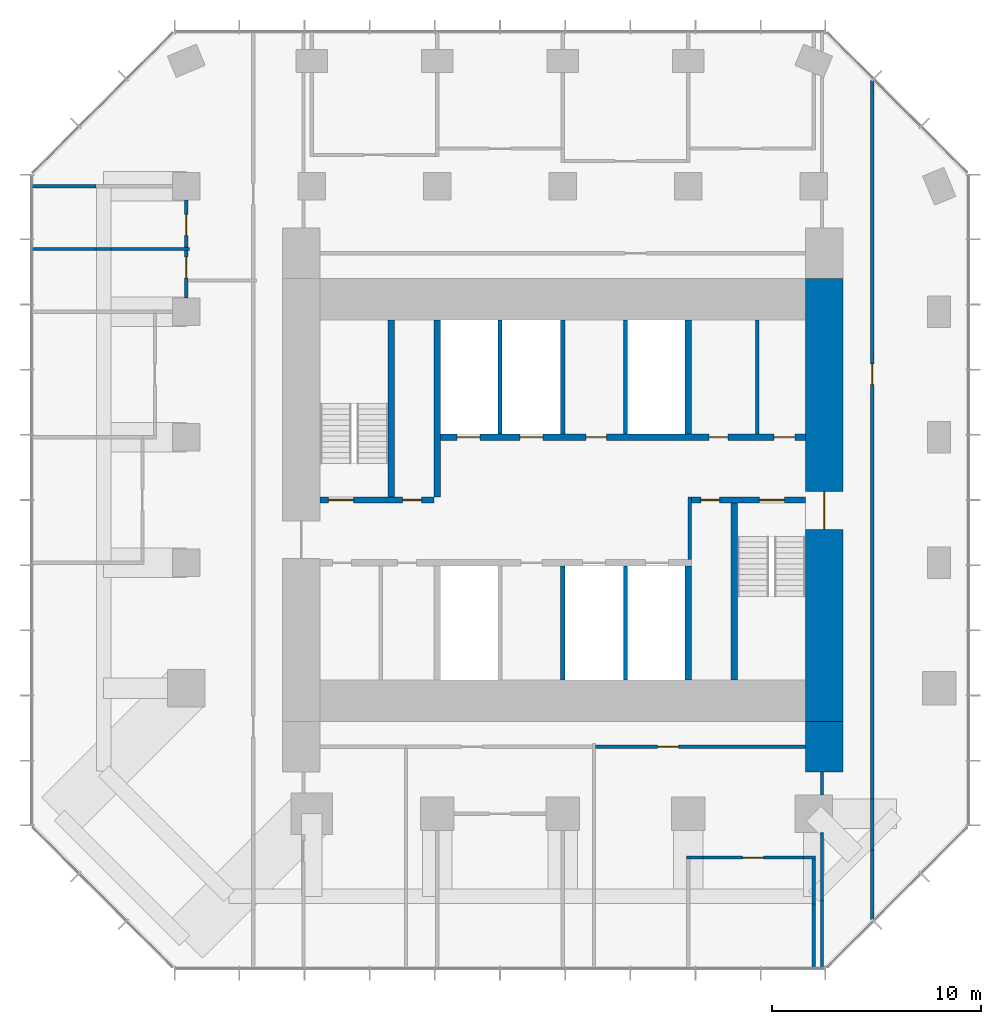
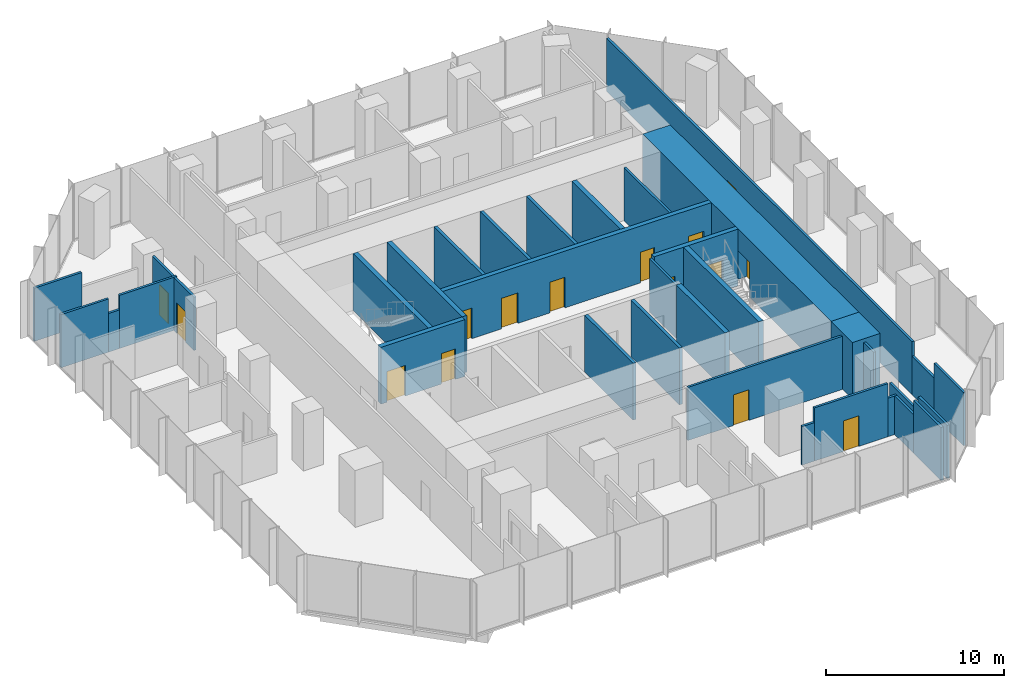
# One storey, part 9 of 11: 35 walls, 15 doors, 15 openings.
"""IFC4 building model written with IfcOpenShell, lengths in metres."""

from ifc_helpers import new_model, si_unit, direction, frame, frame_2d, origin, place, context, subcontext, project, spatial, rectangle, extrude, material, layer, layer_set, type_object, element, fill, save


model = new_model("IFC4")

# Units and contexts
model_context = context("Model", 3, precision=1e-05, world=origin(), true_north=direction((0.0, 1.0)))
body_context = subcontext(model_context, "Body", "Model", "MODEL_VIEW")
ifc_project = project(units=[si_unit("LENGTHUNIT", "METRE"), si_unit("AREAUNIT", "SQUARE_METRE"), si_unit("VOLUMEUNIT", "CUBIC_METRE"), si_unit("PLANEANGLEUNIT", "RADIAN"), si_unit("MASSUNIT", "GRAM", prefix="KILO")], contexts=[model_context])

# Site, building, storey
site_placement = place(None, origin())
site = spatial("IfcSite", under=ifc_project, at=site_placement, CompositionType="ELEMENT")
building_placement = place(site_placement, origin())
building = spatial("IfcBuilding", under=site, at=building_placement, Name="Highveld Stack Headquarters", CompositionType="ELEMENT")
storey_placement = place(building_placement, frame((0.0, 0.0, 216.199951171875)))
storey = spatial("IfcBuildingStorey", under=building, at=storey_placement, Name="L53", CompositionType="ELEMENT", Elevation=216.199951171875)

# Wall, opening, door
ifc_material_1 = material(Name="Concrete C60/75", Category="concrete")
ifc_layer_1 = layer(ifc_material_1, 1.800048828125)
ifc_layer_set_1 = layer_set([ifc_layer_1], Name="Concrete C60/75")
wall_type_1 = type_object("IfcWallType", Name="CORE WALL 1800 C60/75", PredefinedType="SHEAR", material=ifc_layer_set_1)
wall_1_placement = place(storey_placement, frame((18.5, -7.60009765625, 0.0), z_axis=(0.0, 0.0, 1.0), x_axis=(0.0, 1.0, 0.0)))
wall_1 = element("IfcWall", 1, at=wall_1_placement, inside=storey, type_object=wall_type_1, Name="Core wall E L53", PredefinedType="SHEAR", context=body_context, shape_type="SweptSolid", body=[
    extrude(rectangle(XDim=21.2001953125, YDim=1.800048828125, at=frame_2d((10.60009765625, 0.0))), origin(), (0.0, 0.0, 1.0), 3.900146484375),
])
opening_1_placement = place(wall_1_placement, frame((9.199951171875, 0.0, 0.0)))
opening_1 = element("IfcOpeningElement", 2, at=opening_1_placement, cuts=wall_1, Name="Opening L53-02", PredefinedType="OPENING", context=body_context, shape_type="SweptSolid", body=[
    extrude(rectangle(XDim=1.800048828125, YDim=2.39990234375, at=frame_2d((0.89990234375, 1.199951171875))), frame((0.0, 0.909912109375, 0.0), z_axis=(0.0, -1.0, 0.0), x_axis=(1.0, 0.0, 0.0)), (0.0, 0.0, 1.0), 1.820068359375),
])
ifc_material_2 = material(Name="Steel fire door", Category="steel")
door_type_1 = type_object("IfcDoorType", Name="LOBBY FIRE DOOR D4 1800x2400", OperationType="DOUBLE_DOOR_SINGLE_SWING", PredefinedType="DOOR", material=ifc_material_2)
door_1_placement = place(opening_1_placement, origin())
door_1 = element("IfcDoor", 3, at=door_1_placement, inside=storey, type_object=door_type_1, Name="Core east door L53", OperationType="DOUBLE_DOOR_SINGLE_SWING", OverallHeight=2.39990234375, OverallWidth=1.800048828125, PredefinedType="DOOR", context=body_context, shape_type="SweptSolid", body=[
    extrude(rectangle(XDim=1.800048828125, YDim=2.39990234375, at=frame_2d((0.89990234375, 1.199951171875))), frame((0.0, 0.02490234375, 0.0), z_axis=(0.0, -1.0, 0.0), x_axis=(1.0, 0.0, 0.0)), (0.0, 0.0, 1.0), 0.050048828125),
])
fill(opening_1, door_1)

# Wall, openings, doors
ifc_material_3 = material(Name="Concrete C60/75", Category="concrete")
ifc_layer_2 = layer(ifc_material_3, 0.300048828125)
ifc_layer_set_2 = layer_set([ifc_layer_2], Name="Concrete C60/75")
wall_type_2 = type_object("IfcWallType", Name="CORE WALL 300 C60/75", PredefinedType="SHEAR", material=ifc_layer_set_2)
wall_2_placement = place(storey_placement, frame((-5.60009765625, 3.0, 0.0), z_axis=(0.0, 0.0, 1.0), x_axis=(1.0, 0.0, 0.0)))
wall_2 = element("IfcWall", 4, at=wall_2_placement, inside=storey, type_object=wall_type_2, Name="Core wall I-Y3W L53", PredefinedType="SHEAR", context=body_context, shape_type="SweptSolid", body=[
    extrude(rectangle(XDim=5.4501953125, YDim=0.300048828125, at=frame_2d((2.72509765625, 0.0))), origin(), (0.0, 0.0, 1.0), 3.900146484375),
])
opening_2_placement = place(wall_2_placement, frame((0.39990234375, 0.0, 0.0)))
opening_2 = element("IfcOpeningElement", 5, at=opening_2_placement, cuts=wall_2, Name="Opening L53-03", PredefinedType="OPENING", context=body_context, shape_type="SweptSolid", body=[
    extrude(rectangle(XDim=1.199951171875, YDim=2.10009765625, at=frame_2d((0.60009765625, 1.050048828125))), frame((0.0, 0.159912109375, 0.0), z_axis=(0.0, -1.0, 0.0), x_axis=(1.0, 0.0, 0.0)), (0.0, 0.0, 1.0), 0.320068359375),
])
opening_3_placement = place(wall_2_placement, frame((3.949951171875, 0.0, 0.0)))
opening_3 = element("IfcOpeningElement", 6, at=opening_3_placement, cuts=wall_2, Name="Opening L53-04", PredefinedType="OPENING", context=body_context, shape_type="SweptSolid", body=[
    extrude(rectangle(XDim=0.89990234375, YDim=2.10009765625, at=frame_2d((0.449951171875, 1.050048828125))), frame((0.0, 0.159912109375, 0.0), z_axis=(0.0, -1.0, 0.0), x_axis=(1.0, 0.0, 0.0)), (0.0, 0.0, 1.0), 0.320068359375),
])
ifc_material_4 = material(Name="Steel fire door", Category="steel")
door_type_2 = type_object("IfcDoorType", Name="RISER ACCESS DOOR D5 900x2100", OperationType="SINGLE_SWING_LEFT", PredefinedType="DOOR", material=ifc_material_4)
door_2_placement = place(opening_3_placement, origin())
door_2 = element("IfcDoor", 7, at=door_2_placement, inside=storey, type_object=door_type_2, Name="Riser R1 door L53", OperationType="SINGLE_SWING_RIGHT", OverallHeight=2.10009765625, OverallWidth=0.89990234375, PredefinedType="DOOR", context=body_context, shape_type="SweptSolid", body=[
    extrude(rectangle(XDim=0.89990234375, YDim=2.10009765625, at=frame_2d((0.449951171875, 1.050048828125))), frame((0.0, 0.02490234375, 0.0), z_axis=(0.0, -1.0, 0.0), x_axis=(1.0, 0.0, 0.0)), (0.0, 0.0, 1.0), 0.050048828125),
])
fill(opening_3, door_2)
ifc_material_5 = material(Name="Steel fire door", Category="steel")
door_type_3 = type_object("IfcDoorType", Name="STAIR FIRE DOOR D3 1200x2100", OperationType="SINGLE_SWING_LEFT", PredefinedType="DOOR", material=ifc_material_5)
door_3_placement = place(opening_2_placement, origin())
door_3 = element("IfcDoor", 8, at=door_3_placement, inside=storey, type_object=door_type_3, Name="Stair S1 door L53", OperationType="SINGLE_SWING_LEFT", OverallHeight=2.10009765625, OverallWidth=1.199951171875, PredefinedType="DOOR", context=body_context, shape_type="SweptSolid", body=[
    extrude(rectangle(XDim=1.199951171875, YDim=2.10009765625, at=frame_2d((0.60009765625, 1.050048828125))), frame((0.0, 0.02490234375, 0.0), z_axis=(0.0, -1.0, 0.0), x_axis=(1.0, 0.0, 0.0)), (0.0, 0.0, 1.0), 0.050048828125),
])
fill(opening_2, door_3)

wall_3_placement = place(storey_placement, frame((12.14990234375, 3.0, 0.0), z_axis=(0.0, 0.0, 1.0), x_axis=(1.0, 0.0, 0.0)))
wall_3 = element("IfcWall", 9, at=wall_3_placement, inside=storey, type_object=wall_type_2, Name="Core wall I-Y3E L53", PredefinedType="SHEAR", context=body_context, shape_type="SweptSolid", body=[
    extrude(rectangle(XDim=5.4501953125, YDim=0.300048828125, at=frame_2d((2.72509765625, 0.0))), origin(), (0.0, 0.0, 1.0), 3.900146484375),
])
opening_4_placement = place(wall_3_placement, frame((3.25, 0.0, 0.0)))
opening_4 = element("IfcOpeningElement", 10, at=opening_4_placement, cuts=wall_3, Name="Opening L53-05", PredefinedType="OPENING", context=body_context, shape_type="SweptSolid", body=[
    extrude(rectangle(XDim=1.199951171875, YDim=2.10009765625, at=frame_2d((0.60009765625, 1.050048828125))), frame((0.0, 0.159912109375, 0.0), z_axis=(0.0, -1.0, 0.0), x_axis=(1.0, 0.0, 0.0)), (0.0, 0.0, 1.0), 0.320068359375),
])
opening_5_placement = place(wall_3_placement, frame((0.449951171875, 0.0, 0.0)))
opening_5 = element("IfcOpeningElement", 11, at=opening_5_placement, cuts=wall_3, Name="Opening L53-06", PredefinedType="OPENING", context=body_context, shape_type="SweptSolid", body=[
    extrude(rectangle(XDim=0.89990234375, YDim=2.10009765625, at=frame_2d((0.449951171875, 1.050048828125))), frame((0.0, 0.159912109375, 0.0), z_axis=(0.0, -1.0, 0.0), x_axis=(1.0, 0.0, 0.0)), (0.0, 0.0, 1.0), 0.320068359375),
])
door_4_placement = place(opening_5_placement, origin())
door_4 = element("IfcDoor", 12, at=door_4_placement, inside=storey, type_object=door_type_2, Name="Riser R2 door L53", OperationType="SINGLE_SWING_LEFT", OverallHeight=2.10009765625, OverallWidth=0.89990234375, PredefinedType="DOOR", context=body_context, shape_type="SweptSolid", body=[
    extrude(rectangle(XDim=0.89990234375, YDim=2.10009765625, at=frame_2d((0.449951171875, 1.050048828125))), frame((0.0, 0.02490234375, 0.0), z_axis=(0.0, -1.0, 0.0), x_axis=(1.0, 0.0, 0.0)), (0.0, 0.0, 1.0), 0.050048828125),
])
fill(opening_5, door_4)
door_5_placement = place(opening_4_placement, origin())
door_5 = element("IfcDoor", 13, at=door_5_placement, inside=storey, type_object=door_type_3, Name="Stair S2 door L53", OperationType="SINGLE_SWING_RIGHT", OverallHeight=2.10009765625, OverallWidth=1.199951171875, PredefinedType="DOOR", context=body_context, shape_type="SweptSolid", body=[
    extrude(rectangle(XDim=1.199951171875, YDim=2.10009765625, at=frame_2d((0.60009765625, 1.050048828125))), frame((0.0, 0.02490234375, 0.0), z_axis=(0.0, -1.0, 0.0), x_axis=(1.0, 0.0, 0.0)), (0.0, 0.0, 1.0), 0.050048828125),
])
fill(opening_4, door_5)

wall_4_placement = place(storey_placement, frame((-0.14990234375, 6.0, 0.0), z_axis=(0.0, 0.0, 1.0), x_axis=(1.0, 0.0, 0.0)))
wall_4 = element("IfcWall", 14, at=wall_4_placement, inside=storey, type_object=wall_type_2, Name="Core wall I-Y6 L53", PredefinedType="SHEAR", context=body_context, shape_type="SweptSolid", body=[
    extrude(rectangle(XDim=17.75, YDim=0.300048828125, at=frame_2d((8.875, 0.0))), origin(), (0.0, 0.0, 1.0), 3.900146484375),
])
opening_6_placement = place(wall_4_placement, frame((13.14990234375, 0.0, 0.0)))
opening_6 = element("IfcOpeningElement", 15, at=opening_6_placement, cuts=wall_4, Name="Opening L53-09", PredefinedType="OPENING", context=body_context, shape_type="SweptSolid", body=[
    extrude(rectangle(XDim=0.89990234375, YDim=2.10009765625, at=frame_2d((0.449951171875, 1.050048828125))), frame((0.0, 0.159912109375, 0.0), z_axis=(0.0, -1.0, 0.0), x_axis=(1.0, 0.0, 0.0)), (0.0, 0.0, 1.0), 0.320068359375),
])
opening_7_placement = place(wall_4_placement, frame((16.25, 0.0, 0.0)))
opening_7 = element("IfcOpeningElement", 16, at=opening_7_placement, cuts=wall_4, Name="Opening L53-10", PredefinedType="OPENING", context=body_context, shape_type="SweptSolid", body=[
    extrude(rectangle(XDim=1.0, YDim=2.10009765625, at=frame_2d((0.5, 1.050048828125))), frame((0.0, 0.159912109375, 0.0), z_axis=(0.0, -1.0, 0.0), x_axis=(1.0, 0.0, 0.0)), (0.0, 0.0, 1.0), 0.320068359375),
])
opening_8_placement = place(wall_4_placement, frame((7.25, 0.0, 0.0)))
opening_8 = element("IfcOpeningElement", 17, at=opening_8_placement, cuts=wall_4, Name="Opening L53-11", PredefinedType="OPENING", context=body_context, shape_type="SweptSolid", body=[
    extrude(rectangle(XDim=1.0, YDim=2.10009765625, at=frame_2d((0.5, 1.050048828125))), frame((0.0, 0.159912109375, 0.0), z_axis=(0.0, -1.0, 0.0), x_axis=(1.0, 0.0, 0.0)), (0.0, 0.0, 1.0), 0.320068359375),
])
opening_9_placement = place(wall_4_placement, frame((1.10009765625, 0.0, 0.0)))
opening_9 = element("IfcOpeningElement", 18, at=opening_9_placement, cuts=wall_4, Name="Opening LD", PredefinedType="OPENING", context=body_context, shape_type="SweptSolid", body=[
    extrude(rectangle(XDim=1.10009765625, YDim=2.10009765625, at=frame_2d((0.550048828125, 1.050048828125))), frame((0.0, 0.159912109375, 0.0), z_axis=(0.0, -1.0, 0.0), x_axis=(1.0, 0.0, 0.0)), (0.0, 0.0, 1.0), 0.320068359375),
])
opening_10_placement = place(wall_4_placement, frame((4.10009765625, 0.0, 0.0)))
opening_10 = element("IfcOpeningElement", 19, at=opening_10_placement, cuts=wall_4, Name="Opening LD", PredefinedType="OPENING", context=body_context, shape_type="SweptSolid", body=[
    extrude(rectangle(XDim=1.10009765625, YDim=2.10009765625, at=frame_2d((0.550048828125, 1.050048828125))), frame((0.0, 0.159912109375, 0.0), z_axis=(0.0, -1.0, 0.0), x_axis=(1.0, 0.0, 0.0)), (0.0, 0.0, 1.0), 0.320068359375),
])
ifc_material_6 = material(Name="Timber door, painted", Category="wood")
door_type_4 = type_object("IfcDoorType", Name="ACCESSIBLE WC DOOR D2 1000x2100", OperationType="SINGLE_SWING_RIGHT", PredefinedType="DOOR", material=ifc_material_6)
door_6_placement = place(opening_7_placement, origin())
door_6 = element("IfcDoor", 20, at=door_6_placement, inside=storey, type_object=door_type_4, Name="Accessible WC door L53", OperationType="SINGLE_SWING_RIGHT", OverallHeight=2.10009765625, OverallWidth=1.0, PredefinedType="DOOR", context=body_context, shape_type="SweptSolid", body=[
    extrude(rectangle(XDim=1.0, YDim=2.10009765625, at=frame_2d((0.5, 1.050048828125))), frame((0.0, 0.02490234375, 0.0), z_axis=(0.0, -1.0, 0.0), x_axis=(1.0, 0.0, 0.0)), (0.0, 0.0, 1.0), 0.050048828125),
])
fill(opening_7, door_6)
ifc_material_7 = material(Name="Steel fire door", Category="steel")
door_type_5 = type_object("IfcDoorType", Name="CORE ROOM FIRE DOOR D14 1000x2100", OperationType="SINGLE_SWING_LEFT", PredefinedType="DOOR", material=ifc_material_7)
door_7_placement = place(opening_8_placement, origin())
door_7 = element("IfcDoor", 21, at=door_7_placement, inside=storey, type_object=door_type_5, Name="Capped A 1 door L53", OperationType="SINGLE_SWING_LEFT", OverallHeight=2.10009765625, OverallWidth=1.0, PredefinedType="DOOR", context=body_context, shape_type="SweptSolid", body=[
    extrude(rectangle(XDim=1.0, YDim=2.10009765625, at=frame_2d((0.5, 1.050048828125))), frame((0.0, 0.02490234375, 0.0), z_axis=(0.0, -1.0, 0.0), x_axis=(1.0, 0.0, 0.0)), (0.0, 0.0, 1.0), 0.050048828125),
])
fill(opening_8, door_7)
ifc_material_8 = material(Name="Stainless steel lift landing door", Category="steel")
door_type_6 = type_object("IfcDoorType", Name="LIFT LANDING DOOR LD 1100x2100", OperationType="DOUBLE_DOOR_SLIDING", PredefinedType="USERDEFINED", material=ifc_material_8)
door_8_placement = place(opening_9_placement, origin())
door_8 = element("IfcDoor", 22, at=door_8_placement, inside=storey, type_object=door_type_6, Name="Lift landing door FF1 L53", ObjectType="LIFT LANDING DOOR", OperationType="DOUBLE_DOOR_SLIDING", OverallHeight=2.10009765625, OverallWidth=1.10009765625, PredefinedType="USERDEFINED", context=body_context, shape_type="SweptSolid", body=[
    extrude(rectangle(XDim=1.10009765625, YDim=2.10009765625, at=frame_2d((0.550048828125, 1.050048828125))), frame((0.0, 0.02490234375, 0.0), z_axis=(0.0, -1.0, 0.0), x_axis=(1.0, 0.0, 0.0)), (0.0, 0.0, 1.0), 0.050048828125),
])
fill(opening_9, door_8)
door_9_placement = place(opening_10_placement, origin())
door_9 = element("IfcDoor", 23, at=door_9_placement, inside=storey, type_object=door_type_6, Name="Lift landing door FF2 L53", ObjectType="LIFT LANDING DOOR", OperationType="DOUBLE_DOOR_SLIDING", OverallHeight=2.10009765625, OverallWidth=1.10009765625, PredefinedType="USERDEFINED", context=body_context, shape_type="SweptSolid", body=[
    extrude(rectangle(XDim=1.10009765625, YDim=2.10009765625, at=frame_2d((0.550048828125, 1.050048828125))), frame((0.0, 0.02490234375, 0.0), z_axis=(0.0, -1.0, 0.0), x_axis=(1.0, 0.0, 0.0)), (0.0, 0.0, 1.0), 0.050048828125),
])
fill(opening_10, door_9)
ifc_material_9 = material(Name="Timber door, painted", Category="wood")
door_type_7 = type_object("IfcDoorType", Name="WC DOOR D1 900x2100", OperationType="SINGLE_SWING_LEFT", PredefinedType="DOOR", material=ifc_material_9)
door_10_placement = place(opening_6_placement, origin())
door_10 = element("IfcDoor", 24, at=door_10_placement, inside=storey, type_object=door_type_7, Name="Male WC door L53", OperationType="SINGLE_SWING_RIGHT", OverallHeight=2.10009765625, OverallWidth=0.89990234375, PredefinedType="DOOR", context=body_context, shape_type="SweptSolid", body=[
    extrude(rectangle(XDim=0.89990234375, YDim=2.10009765625, at=frame_2d((0.449951171875, 1.050048828125))), frame((0.0, 0.02490234375, 0.0), z_axis=(0.0, -1.0, 0.0), x_axis=(1.0, 0.0, 0.0)), (0.0, 0.0, 1.0), 0.050048828125),
])
fill(opening_6, door_10)

# Walls
wall_5_placement = place(storey_placement, frame((0.0, 3.14990234375, 0.0), z_axis=(0.0, 0.0, 1.0), x_axis=(0.0, 1.0, 0.0)))
element("IfcWall", 25, at=wall_5_placement, inside=storey, type_object=wall_type_2, Name="Core wall I-X0N L53", PredefinedType="SHEAR", context=body_context, shape_type="SweptSolid", body=[
    extrude(rectangle(XDim=8.4501953125, YDim=0.300048828125, at=frame_2d((4.22509765625, 0.0))), origin(), (0.0, 0.0, 1.0), 3.900146484375),
])
for number, where, z_axis, x_axis, name in (
    (26, (12.0, -5.60009765625, 0.0), (0.0, 0.0, 1.0), (0.0, 1.0, 0.0), "Core wall I-X12S L53"),
    (27, (12.0, 6.14990234375, 0.0), (0.0, 0.0, 1.0), (0.0, 1.0, 0.0), "Core wall I-X12N L53"),
):
    element("IfcWall", number, at=place(storey_placement, frame(where, z_axis=z_axis, x_axis=x_axis)), inside=storey, type_object=wall_type_2, Name=name, PredefinedType="SHEAR", context=body_context, shape_type="SweptSolid", body=[
        extrude(rectangle(XDim=5.4501953125, YDim=0.300048828125, at=frame_2d((2.72509765625, 0.0))), origin(), (0.0, 0.0, 1.0), 3.900146484375),
    ])
for number, where, z_axis, x_axis, name in (
    (28, (-2.199951171875, 3.14990234375, 0.0), (0.0, 0.0, 1.0), (0.0, 1.0, 0.0), "Core wall I-RW L53"),
    (29, (14.199951171875, -5.60009765625, 0.0), (0.0, 0.0, 1.0), (0.0, 1.0, 0.0), "Core wall I-RE L53"),
):
    element("IfcWall", number, at=place(storey_placement, frame(where, z_axis=z_axis, x_axis=x_axis)), inside=storey, type_object=wall_type_2, Name=name, PredefinedType="SHEAR", context=body_context, shape_type="SweptSolid", body=[
        extrude(rectangle(XDim=8.4501953125, YDim=0.300048828125, at=frame_2d((4.22509765625, 0.0))), origin(), (0.0, 0.0, 1.0), 3.900146484375),
    ])
ifc_material_10 = material(Name="Concrete C60/75", Category="concrete")
ifc_layer_3 = layer(ifc_material_10, 1.800048828125)
ifc_layer_set_3 = layer_set([ifc_layer_3], Name="Concrete C60/75")
wall_type_3 = type_object("IfcWallType", Name="CORE WING WALL 1800 C60/75", PredefinedType="SHEAR", material=ifc_layer_set_3)
wall_6_placement = place(storey_placement, frame((18.5, -10.0, 0.0), z_axis=(0.0, 0.0, 1.0), x_axis=(0.0, 1.0, 0.0)))
element("IfcWall", 30, at=wall_6_placement, inside=storey, type_object=wall_type_3, Name="Core wing wall ES L53", PredefinedType="SHEAR", context=body_context, shape_type="SweptSolid", body=[
    extrude(rectangle(XDim=2.39990234375, YDim=1.800048828125, at=frame_2d((1.199951171875, 0.0))), origin(), (0.0, 0.0, 1.0), 3.900146484375),
])
ifc_material_11 = material(Name="Concrete blockwork, plastered", Category="masonry")
ifc_layer_4 = layer(ifc_material_11, 0.14990234375)
ifc_layer_set_4 = layer_set([ifc_layer_4], Name="Concrete blockwork, plastered")
wall_type_4 = type_object("IfcWallType", Name="FIRE PARTITION 150 BLOCKWORK", PredefinedType="PARTITIONING", material=ifc_layer_set_4)
wall_7_placement = place(storey_placement, frame((12.074951171875, 0.14990234375, 0.0), z_axis=(0.0, 0.0, 1.0), x_axis=(0.0, 1.0, 0.0)))
element("IfcWall", 31, at=wall_7_placement, inside=storey, type_object=wall_type_4, Name="Riser R2 enclosure L53", PredefinedType="PARTITIONING", context=body_context, shape_type="SweptSolid", body=[
    extrude(rectangle(XDim=3.0, YDim=0.14990234375, at=frame_2d((1.5, 0.0))), origin(), (0.0, 0.0, 1.0), 3.650146484375),
])
ifc_material_12 = material(Name="Concrete blockwork, fair-faced", Category="masonry")
ifc_layer_5 = layer(ifc_material_12, 0.199951171875)
ifc_layer_set_5 = layer_set([ifc_layer_5], Name="Concrete blockwork, fair-faced")
wall_type_5 = type_object("IfcWallType", Name="LIFT SHAFT ENCLOSURE WALL 200 BLOCKWORK", PredefinedType="SOLIDWALL", material=ifc_layer_set_5)
for number, where, z_axis, x_axis, name in (
    (32, (3.0, 6.14990234375, 0.0), (0.0, 0.0, 1.0), (0.0, 1.0, 0.0), "Lift shaft wall L53"),
    (33, (6.0, 6.14990234375, 0.0), (0.0, 0.0, 1.0), (0.0, 1.0, 0.0), "Lift shaft wall L53"),
    (34, (9.0, 6.14990234375, 0.0), (0.0, 0.0, 1.0), (0.0, 1.0, 0.0), "Lift shaft wall L53"),
    (35, (6.0, -5.60009765625, 0.0), (0.0, 0.0, 1.0), (0.0, 1.0, 0.0), "Lift shaft wall L53"),
    (36, (9.0, -5.60009765625, 0.0), (0.0, 0.0, 1.0), (0.0, 1.0, 0.0), "Lift shaft wall L53"),
):
    element("IfcWall", number, at=place(storey_placement, frame(where, z_axis=z_axis, x_axis=x_axis)), inside=storey, type_object=wall_type_5, Name=name, PredefinedType="SOLIDWALL", context=body_context, shape_type="SweptSolid", body=[
        extrude(rectangle(XDim=5.4501953125, YDim=0.199951171875, at=frame_2d((2.72509765625, 0.0))), origin(), (0.0, 0.0, 1.0), 3.900146484375),
    ])
ifc_material_13 = material(Name="Gypsum plasterboard on steel studs", Category="steel")
ifc_layer_6 = layer(ifc_material_13, 0.14990234375)
ifc_layer_set_6 = layer_set([ifc_layer_6], Name="Gypsum plasterboard on steel studs")
wall_type_6 = type_object("IfcWallType", Name="PARTITION 150 PLASTERBOARD", PredefinedType="PARTITIONING", material=ifc_layer_set_6)
wall_8_placement = place(storey_placement, frame((11.925048828125, -14.10009765625, 0.0), z_axis=(0.0, 0.0, 1.0), x_axis=(1.0, 0.0, 0.0)))
element("IfcWall", 37, at=wall_8_placement, inside=storey, type_object=wall_type_6, Name="Partition Focus room L53", PredefinedType="PARTITIONING", context=body_context, shape_type="SweptSolid", body=[
    extrude(rectangle(XDim=0.784912109375, YDim=0.14990234375, at=frame_2d((0.392578125, 0.0))), origin(), (0.0, 0.0, 1.0), 2.650146484375),
])

# Wall, opening, door
wall_9_placement = place(storey_placement, frame((12.7099609375, -14.10009765625, 0.0), z_axis=(0.0, 0.0, 1.0), x_axis=(1.0, 0.0, 0.0)))
wall_9 = element("IfcWall", 38, at=wall_9_placement, inside=storey, type_object=wall_type_6, Name="Partition Focus room L53", PredefinedType="PARTITIONING", context=body_context, shape_type="SweptSolid", body=[
    extrude(rectangle(XDim=4.780029296875, YDim=0.14990234375, at=frame_2d((2.39013671875, 0.0))), origin(), (0.0, 0.0, 1.0), 3.650146484375),
])
opening_11_placement = place(wall_9_placement, frame((1.889892578125, 0.0, 0.0)))
opening_11 = element("IfcOpeningElement", 39, at=opening_11_placement, cuts=wall_9, Name="Opening L53-14", PredefinedType="OPENING", context=body_context, shape_type="SweptSolid", body=[
    extrude(rectangle(XDim=1.0, YDim=2.10009765625, at=frame_2d((0.5, 1.050048828125))), frame((0.0, 0.0849609375, 0.0), z_axis=(0.0, -1.0, 0.0), x_axis=(1.0, 0.0, 0.0)), (0.0, 0.0, 1.0), 0.169921875),
])
ifc_material_14 = material(Name="Timber door, oiled ash", Category="wood")
door_type_8 = type_object("IfcDoorType", Name="ROOM DOOR D6 1000x2100", OperationType="SINGLE_SWING_LEFT", PredefinedType="DOOR", material=ifc_material_14)
door_11_placement = place(opening_11_placement, origin())
door_11 = element("IfcDoor", 40, at=door_11_placement, inside=storey, type_object=door_type_8, Name="Focus room door 1 L53", OperationType="SINGLE_SWING_LEFT", OverallHeight=2.10009765625, OverallWidth=1.0, PredefinedType="DOOR", context=body_context, shape_type="SweptSolid", body=[
    extrude(rectangle(XDim=1.0, YDim=2.10009765625, at=frame_2d((0.5, 1.050048828125))), frame((0.0, 0.02490234375, 0.0), z_axis=(0.0, -1.0, 0.0), x_axis=(1.0, 0.0, 0.0)), (0.0, 0.0, 1.0), 0.050048828125),
])
fill(opening_11, door_11)

# Walls
wall_10_placement = place(storey_placement, frame((17.489990234375, -14.10009765625, 0.0), z_axis=(0.0, 0.0, 1.0), x_axis=(1.0, 0.0, 0.0)))
element("IfcWall", 41, at=wall_10_placement, inside=storey, type_object=wall_type_6, Name="Partition Focus room L53", PredefinedType="PARTITIONING", context=body_context, shape_type="SweptSolid", body=[
    extrude(rectangle(XDim=0.5849609375, YDim=0.14990234375, at=frame_2d((0.29248046875, 0.0))), origin(), (0.0, 0.0, 1.0), 2.650146484375),
])
wall_11_placement = place(storey_placement, frame((-19.39990234375, 15.0, 0.0), z_axis=(0.0, 0.0, 1.0), x_axis=(1.0, 0.0, 0.0)))
element("IfcWall", 42, at=wall_11_placement, inside=storey, type_object=wall_type_6, Name="Partition Office L53", PredefinedType="PARTITIONING", context=body_context, shape_type="SweptSolid", body=[
    extrude(rectangle(XDim=3.08984375, YDim=0.14990234375, at=frame_2d((1.544921875, 0.0))), origin(), (0.0, 0.0, 1.0), 3.650146484375),
])
wall_12_placement = place(storey_placement, frame((-16.31005859375, 15.0, 0.0), z_axis=(0.0, 0.0, 1.0), x_axis=(1.0, 0.0, 0.0)))
element("IfcWall", 43, at=wall_12_placement, inside=storey, type_object=wall_type_6, Name="Partition Office L53", PredefinedType="PARTITIONING", context=body_context, shape_type="SweptSolid", body=[
    extrude(rectangle(XDim=0.719970703125, YDim=0.14990234375, at=frame_2d((0.35986328125, 0.0))), origin(), (0.0, 0.0, 1.0), 2.650146484375),
])
wall_13_placement = place(storey_placement, frame((-15.590087890625, 15.0, 0.0), z_axis=(0.0, 0.0, 1.0), x_axis=(1.0, 0.0, 0.0)))
element("IfcWall", 44, at=wall_13_placement, inside=storey, type_object=wall_type_6, Name="Partition Office L53", PredefinedType="PARTITIONING", context=body_context, shape_type="SweptSolid", body=[
    extrude(rectangle(XDim=3.739990234375, YDim=0.14990234375, at=frame_2d((1.8701171875, 0.0))), origin(), (0.0, 0.0, 1.0), 3.650146484375),
])
wall_14_placement = place(storey_placement, frame((-19.39990234375, 18.0, 0.0), z_axis=(0.0, 0.0, 1.0), x_axis=(1.0, 0.0, 0.0)))
element("IfcWall", 45, at=wall_14_placement, inside=storey, type_object=wall_type_6, Name="Partition Office L53", PredefinedType="PARTITIONING", context=body_context, shape_type="SweptSolid", body=[
    extrude(rectangle(XDim=3.08984375, YDim=0.14990234375, at=frame_2d((1.544921875, 0.0))), origin(), (0.0, 0.0, 1.0), 3.650146484375),
])

# Wall, opening, door
wall_15_placement = place(storey_placement, frame((-12.0, 12.659912109375, 0.0), z_axis=(0.0, 0.0, 1.0), x_axis=(0.0, 1.0, 0.0)))
wall_15 = element("IfcWall", 46, at=wall_15_placement, inside=storey, type_object=wall_type_6, Name="Partition Office L53", PredefinedType="PARTITIONING", context=body_context, shape_type="SweptSolid", body=[
    extrude(rectangle(XDim=2.26513671875, YDim=0.14990234375, at=frame_2d((1.132568359375, 0.0))), origin(), (0.0, 0.0, 1.0), 3.650146484375),
])
opening_12_placement = place(wall_15_placement, frame((0.949951171875, 0.0, 0.0)))
opening_12 = element("IfcOpeningElement", 47, at=opening_12_placement, cuts=wall_15, Name="Opening L53-17", PredefinedType="OPENING", context=body_context, shape_type="SweptSolid", body=[
    extrude(rectangle(XDim=1.0, YDim=2.10009765625, at=frame_2d((0.5, 1.050048828125))), frame((0.0, 0.0849609375, 0.0), z_axis=(0.0, -1.0, 0.0), x_axis=(1.0, 0.0, 0.0)), (0.0, 0.0, 1.0), 0.169921875),
])
door_12_placement = place(opening_12_placement, origin())
door_12 = element("IfcDoor", 48, at=door_12_placement, inside=storey, type_object=door_type_8, Name="Office door 1 L53", OperationType="SINGLE_SWING_RIGHT", OverallHeight=2.10009765625, OverallWidth=1.0, PredefinedType="DOOR", context=body_context, shape_type="SweptSolid", body=[
    extrude(rectangle(XDim=1.0, YDim=2.10009765625, at=frame_2d((0.5, 1.050048828125))), frame((0.0, 0.02490234375, 0.0), z_axis=(0.0, -1.0, 0.0), x_axis=(1.0, 0.0, 0.0)), (0.0, 0.0, 1.0), 0.050048828125),
])
fill(opening_12, door_12)

wall_16_placement = place(storey_placement, frame((-12.0, 15.074951171875, 0.0), z_axis=(0.0, 0.0, 1.0), x_axis=(0.0, 1.0, 0.0)))
wall_16 = element("IfcWall", 49, at=wall_16_placement, inside=storey, type_object=wall_type_6, Name="Partition Office L53", PredefinedType="PARTITIONING", context=body_context, shape_type="SweptSolid", body=[
    extrude(rectangle(XDim=2.26513671875, YDim=0.14990234375, at=frame_2d((1.132568359375, 0.0))), origin(), (0.0, 0.0, 1.0), 3.650146484375),
])
opening_13_placement = place(wall_16_placement, frame((0.570068359375, 0.0, 0.0)))
opening_13 = element("IfcOpeningElement", 50, at=opening_13_placement, cuts=wall_16, Name="Opening L53-18", PredefinedType="OPENING", context=body_context, shape_type="SweptSolid", body=[
    extrude(rectangle(XDim=1.0, YDim=2.10009765625, at=frame_2d((0.5, 1.050048828125))), frame((0.0, 0.0849609375, 0.0), z_axis=(0.0, -1.0, 0.0), x_axis=(1.0, 0.0, 0.0)), (0.0, 0.0, 1.0), 0.169921875),
])
door_13_placement = place(opening_13_placement, origin())
door_13 = element("IfcDoor", 51, at=door_13_placement, inside=storey, type_object=door_type_8, Name="Office door 1 L53", OperationType="SINGLE_SWING_LEFT", OverallHeight=2.10009765625, OverallWidth=1.0, PredefinedType="DOOR", context=body_context, shape_type="SweptSolid", body=[
    extrude(rectangle(XDim=1.0, YDim=2.10009765625, at=frame_2d((0.5, 1.050048828125))), frame((0.0, 0.02490234375, 0.0), z_axis=(0.0, -1.0, 0.0), x_axis=(1.0, 0.0, 0.0)), (0.0, 0.0, 1.0), 0.050048828125),
])
fill(opening_13, door_13)

# Walls
wall_17_placement = place(storey_placement, frame((18.0, -19.39990234375, 0.0), z_axis=(0.0, 0.0, 1.0), x_axis=(0.0, 1.0, 0.0)))
element("IfcWall", 52, at=wall_17_placement, inside=storey, type_object=wall_type_6, Name="Partition Focus room L53", PredefinedType="PARTITIONING", context=body_context, shape_type="SweptSolid", body=[
    extrude(rectangle(XDim=3.08984375, YDim=0.14990234375, at=frame_2d((1.544921875, 0.0))), origin(), (0.0, 0.0, 1.0), 3.650146484375),
])
wall_18_placement = place(storey_placement, frame((18.0, -16.31005859375, 0.0), z_axis=(0.0, 0.0, 1.0), x_axis=(0.0, 1.0, 0.0)))
element("IfcWall", 53, at=wall_18_placement, inside=storey, type_object=wall_type_6, Name="Partition Focus room L53", PredefinedType="PARTITIONING", context=body_context, shape_type="SweptSolid", body=[
    extrude(rectangle(XDim=2.135009765625, YDim=0.14990234375, at=frame_2d((1.0673828125, 0.0))), origin(), (0.0, 0.0, 1.0), 2.650146484375),
])

# Wall, opening, door
wall_19_placement = place(storey_placement, frame((7.574951171875, -8.800048828125, 0.0), z_axis=(0.0, 0.0, 1.0), x_axis=(1.0, 0.0, 0.0)))
wall_19 = element("IfcWall", 54, at=wall_19_placement, inside=storey, type_object=wall_type_6, Name="Partition office neighbourhood L53", PredefinedType="PARTITIONING", context=body_context, shape_type="SweptSolid", body=[
    extrude(rectangle(XDim=10.025146484375, YDim=0.14990234375, at=frame_2d((5.0126953125, 0.0))), origin(), (0.0, 0.0, 1.0), 3.650146484375),
])
opening_14_placement = place(wall_19_placement, frame((2.9599609375, 0.0, 0.0)))
opening_14 = element("IfcOpeningElement", 55, at=opening_14_placement, cuts=wall_19, Name="Opening L53-24", PredefinedType="OPENING", context=body_context, shape_type="SweptSolid", body=[
    extrude(rectangle(XDim=1.0, YDim=2.10009765625, at=frame_2d((0.5, 1.050048828125))), frame((0.0, 0.0849609375, 0.0), z_axis=(0.0, -1.0, 0.0), x_axis=(1.0, 0.0, 0.0)), (0.0, 0.0, 1.0), 0.169921875),
])
door_14_placement = place(opening_14_placement, origin())
door_14 = element("IfcDoor", 56, at=door_14_placement, inside=storey, type_object=door_type_8, Name="Office neighbourhood door L53", OperationType="SINGLE_SWING_LEFT", OverallHeight=2.10009765625, OverallWidth=1.0, PredefinedType="DOOR", context=body_context, shape_type="SweptSolid", body=[
    extrude(rectangle(XDim=1.0, YDim=2.10009765625, at=frame_2d((0.5, 1.050048828125))), frame((0.0, 0.02490234375, 0.0), z_axis=(0.0, -1.0, 0.0), x_axis=(1.0, 0.0, 0.0)), (0.0, 0.0, 1.0), 0.050048828125),
])
fill(opening_14, door_14)

# Walls
wall_20_placement = place(storey_placement, frame((18.39990234375, -19.39990234375, 0.0), z_axis=(0.0, 0.0, 1.0), x_axis=(0.0, 1.0, 0.0)))
element("IfcWall", 57, at=wall_20_placement, inside=storey, type_object=wall_type_6, Name="Partition office neighbourhood L53", PredefinedType="PARTITIONING", context=body_context, shape_type="SweptSolid", body=[
    extrude(rectangle(XDim=3.260009765625, YDim=0.14990234375, at=frame_2d((1.6298828125, 0.0))), origin(), (0.0, 0.0, 1.0), 3.650146484375),
])
wall_21_placement = place(storey_placement, frame((18.39990234375, -16.139892578125, 0.0), z_axis=(0.0, 0.0, 1.0), x_axis=(0.0, 1.0, 0.0)))
element("IfcWall", 58, at=wall_21_placement, inside=storey, type_object=wall_type_6, Name="Partition office neighbourhood L53", PredefinedType="PARTITIONING", context=body_context, shape_type="SweptSolid", body=[
    extrude(rectangle(XDim=3.239990234375, YDim=0.14990234375, at=frame_2d((1.6201171875, 0.0))), origin(), (0.0, 0.0, 1.0), 2.650146484375),
])
wall_22_placement = place(storey_placement, frame((18.39990234375, -11.10009765625, 0.0), z_axis=(0.0, 0.0, 1.0), x_axis=(0.0, 1.0, 0.0)))
element("IfcWall", 59, at=wall_22_placement, inside=storey, type_object=wall_type_6, Name="Partition office neighbourhood L53", PredefinedType="PARTITIONING", context=body_context, shape_type="SweptSolid", body=[
    extrude(rectangle(XDim=1.10009765625, YDim=0.14990234375, at=frame_2d((0.550048828125, 0.0))), origin(), (0.0, 0.0, 1.0), 3.650146484375),
])
wall_23_placement = place(storey_placement, frame((20.800048828125, -17.06396484375, 0.0), z_axis=(0.0, 0.0, 1.0), x_axis=(0.0, 1.0, 0.0)))
element("IfcWall", 60, at=wall_23_placement, inside=storey, type_object=wall_type_6, Name="Partition office neighbourhood L53", PredefinedType="PARTITIONING", context=body_context, shape_type="SweptSolid", body=[
    extrude(rectangle(XDim=3.323974609375, YDim=0.14990234375, at=frame_2d((1.662109375, 0.0))), origin(), (0.0, 0.0, 1.0), 3.650146484375),
])
wall_24_placement = place(storey_placement, frame((20.800048828125, -13.739990234375, 0.0), z_axis=(0.0, 0.0, 1.0), x_axis=(0.0, 1.0, 0.0)))
element("IfcWall", 61, at=wall_24_placement, inside=storey, type_object=wall_type_6, Name="Partition office neighbourhood L53", PredefinedType="PARTITIONING", context=body_context, shape_type="SweptSolid", body=[
    extrude(rectangle(XDim=2.449951171875, YDim=0.14990234375, at=frame_2d((1.22509765625, 0.0))), origin(), (0.0, 0.0, 1.0), 2.650146484375),
])

# Wall, opening, door
wall_25_placement = place(storey_placement, frame((20.800048828125, -11.2900390625, 0.0), z_axis=(0.0, 0.0, 1.0), x_axis=(0.0, 1.0, 0.0)))
wall_25 = element("IfcWall", 62, at=wall_25_placement, inside=storey, type_object=wall_type_6, Name="Partition office neighbourhood L53", PredefinedType="PARTITIONING", context=body_context, shape_type="SweptSolid", body=[
    extrude(rectangle(XDim=34.35400390625, YDim=0.14990234375, at=frame_2d((17.177001953125, 0.0))), origin(), (0.0, 0.0, 1.0), 3.650146484375),
])
opening_15_placement = place(wall_25_placement, frame((19.801025390625, 0.0, 0.0)))
opening_15 = element("IfcOpeningElement", 63, at=opening_15_placement, cuts=wall_25, Name="Opening L53-27", PredefinedType="OPENING", context=body_context, shape_type="SweptSolid", body=[
    extrude(rectangle(XDim=1.0, YDim=2.10009765625, at=frame_2d((0.5, 1.050048828125))), frame((0.0, 0.0849609375, 0.0), z_axis=(0.0, -1.0, 0.0), x_axis=(1.0, 0.0, 0.0)), (0.0, 0.0, 1.0), 0.169921875),
])
door_15_placement = place(opening_15_placement, origin())
door_15 = element("IfcDoor", 64, at=door_15_placement, inside=storey, type_object=door_type_8, Name="Office neighbourhood door L53", OperationType="SINGLE_SWING_RIGHT", OverallHeight=2.10009765625, OverallWidth=1.0, PredefinedType="DOOR", context=body_context, shape_type="SweptSolid", body=[
    extrude(rectangle(XDim=1.0, YDim=2.10009765625, at=frame_2d((0.5, 1.050048828125))), frame((0.0, 0.02490234375, 0.0), z_axis=(0.0, -1.0, 0.0), x_axis=(1.0, 0.0, 0.0)), (0.0, 0.0, 1.0), 0.050048828125),
])
fill(opening_15, door_15)

# Wall
ifc_material_15 = material(Name="Concrete blockwork, tiled", Category="masonry")
ifc_layer_7 = layer(ifc_material_15, 0.14990234375)
ifc_layer_set_7 = layer_set([ifc_layer_7], Name="Concrete blockwork, tiled")
wall_type_7 = type_object("IfcWallType", Name="WC PARTITION 150", PredefinedType="PLUMBINGWALL", material=ifc_layer_set_7)
wall_26_placement = place(storey_placement, frame((15.300048828125, 6.14990234375, 0.0), z_axis=(0.0, 0.0, 1.0), x_axis=(0.0, 1.0, 0.0)))
element("IfcWall", 65, at=wall_26_placement, inside=storey, type_object=wall_type_7, Name="Toilet partition L53", PredefinedType="PLUMBINGWALL", context=body_context, shape_type="SweptSolid", body=[
    extrude(rectangle(XDim=5.4501953125, YDim=0.14990234375, at=frame_2d((2.72509765625, 0.0))), origin(), (0.0, 0.0, 1.0), 3.650146484375),
])

save(model, "model.ifc")
